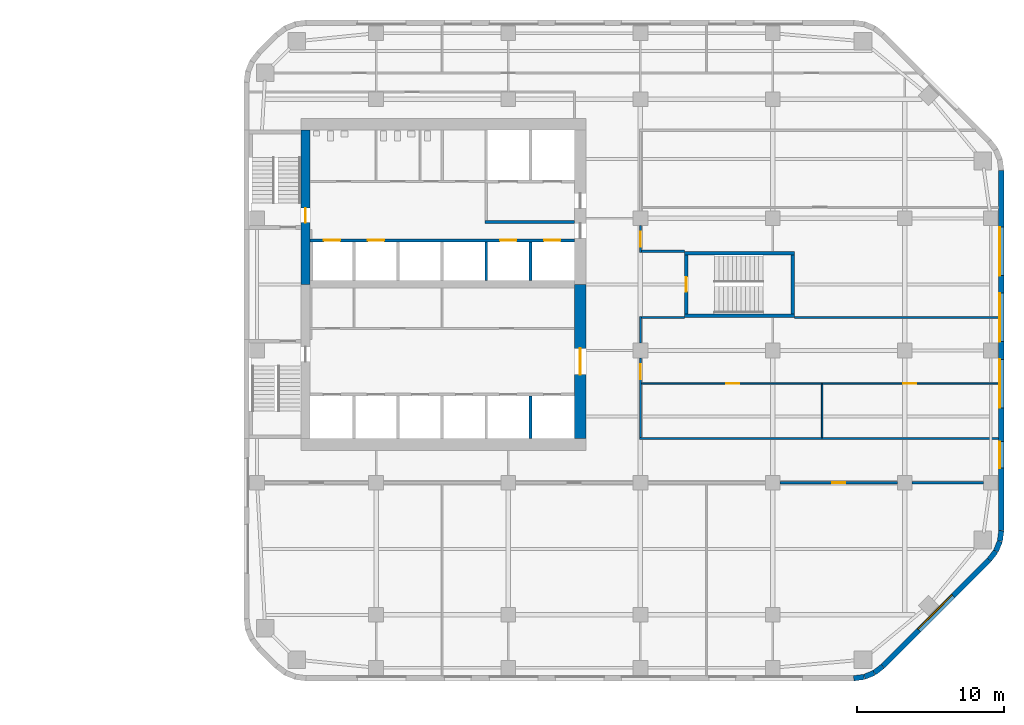
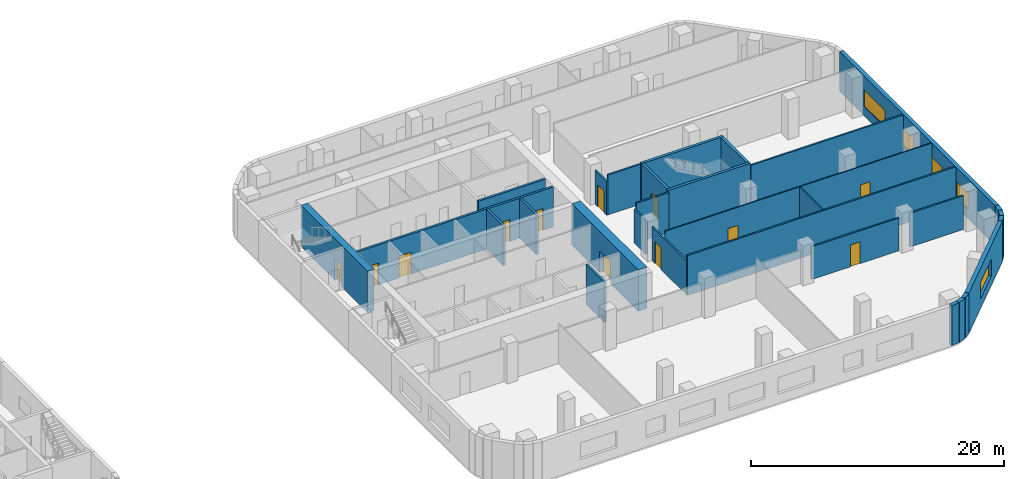
# One storey, part 9 of 14: 30 walls, 12 doors, 5 windows, 17 openings.
"""IFC4 building model written with IfcOpenShell, lengths in metres."""

from ifc_helpers import new_model, si_unit, direction, frame, frame_2d, origin, place, context, subcontext, project, spatial, rectangle, extrude, material, layer, layer_set, type_object, element, fill, save


model = new_model("IFC4")

# Units and contexts
model_context = context("Model", 3, precision=1e-05, world=origin(), true_north=direction((0.0, 1.0)))
body_context = subcontext(model_context, "Body", "Model", "MODEL_VIEW")
ifc_project = project(units=[si_unit("LENGTHUNIT", "METRE"), si_unit("AREAUNIT", "SQUARE_METRE"), si_unit("VOLUMEUNIT", "CUBIC_METRE"), si_unit("PLANEANGLEUNIT", "RADIAN"), si_unit("MASSUNIT", "GRAM", prefix="KILO")], contexts=[model_context])

# Site, building, storey
site_placement = place(None, origin())
site = spatial("IfcSite", under=ifc_project, at=site_placement, CompositionType="ELEMENT")
building_placement = place(site_placement, origin())
building = spatial("IfcBuilding", under=site, at=building_placement, Name="Cinnabar Reach Civic Tower", CompositionType="ELEMENT")
storey_placement = place(building_placement, frame((0.0, 0.0, 132.0)))
storey = spatial("IfcBuildingStorey", under=building, at=storey_placement, Name="L31", CompositionType="ELEMENT", Elevation=132.0)

# Walls
ifc_material_1 = material(Name="Facing brick with insulated backing", Category="masonry")
ifc_layer_1 = layer(ifc_material_1, 0.36)
ifc_layer_set_1 = layer_set([ifc_layer_1], Name="Brick corner wall")
wall_type_1 = type_object("IfcWallType", Name="Brick corner wall", PredefinedType="STANDARD", material=ifc_layer_set_1)
for number, where, z_axis, x_axis, name in (
    (1, (41.5186, 4.683, 0.0), (0.0, 0.0, 1.0), (0.99144092581, 0.13055608231, 0.0), "Brick corner wall"),
    (2, (42.2473, 4.7819, 0.0), (0.0, 0.0, 1.0), (0.923871547278, 0.382702709855, 0.0), "Brick corner wall"),
):
    element("IfcWall", number, at=place(storey_placement, frame(where, z_axis=z_axis, x_axis=x_axis)), inside=storey, type_object=wall_type_1, Name=name, PredefinedType="STANDARD", context=body_context, shape_type="SweptSolid", body=[
        extrude(rectangle(XDim=0.7131, YDim=0.36, at=frame_2d((0.3565, 0.0))), origin(), (0.0, 0.0, 1.0), 3.85),
    ])
for number, where, z_axis, x_axis, name in (
    (3, (42.9255, 5.066, 0.0), (0.0, 0.0, 1.0), (0.793321924995, 0.608802368033, 0.0), "Brick corner wall"),
    (4, (50.7498, 12.7587, 0.0), (0.0, 0.0, 1.0), (0.608802368033, 0.793321924995, 0.0), "Brick corner wall"),
):
    element("IfcWall", number, at=place(storey_placement, frame(where, z_axis=z_axis, x_axis=x_axis)), inside=storey, type_object=wall_type_1, Name=name, PredefinedType="STANDARD", context=body_context, shape_type="SweptSolid", body=[
        extrude(rectangle(XDim=0.7132, YDim=0.36, at=frame_2d((0.3566, 0.0))), origin(), (0.0, 0.0, 1.0), 3.85),
    ])
for number, where, z_axis, x_axis, name in (
    (5, (51.1952, 13.3439, 0.0), (0.0, 0.0, 1.0), (0.382702709855, 0.923871547278, 0.0), "Brick corner wall"),
    (6, (51.4739, 14.0244, 0.0), (0.0, 0.0, 1.0), (0.13055608231, 0.99144092581, 0.0), "Brick corner wall"),
):
    element("IfcWall", number, at=place(storey_placement, frame(where, z_axis=z_axis, x_axis=x_axis)), inside=storey, type_object=wall_type_1, Name=name, PredefinedType="STANDARD", context=body_context, shape_type="SweptSolid", body=[
        extrude(rectangle(XDim=0.7131, YDim=0.36, at=frame_2d((0.3565, 0.0))), origin(), (0.0, 0.0, 1.0), 3.85),
    ])

# Wall, opening, window
ifc_layer_2 = layer(ifc_material_1, 0.36)
ifc_layer_set_2 = layer_set([ifc_layer_2], Name="Brick pier and spandrel wall")
wall_type_2 = type_object("IfcWallType", Name="Brick pier and spandrel wall", PredefinedType="STANDARD", material=ifc_layer_set_2)
wall_1_placement = place(storey_placement, frame((43.5014, 5.506, 0.0), z_axis=(0.0, 0.0, 1.0), x_axis=(0.707106781187, 0.707106781187, 0.0)))
wall_1 = element("IfcWall", 7, at=wall_1_placement, inside=storey, type_object=wall_type_2, Name="Brick facade wall", PredefinedType="STANDARD", context=body_context, shape_type="SweptSolid", body=[
    extrude(rectangle(XDim=10.2426, YDim=0.36, at=frame_2d((5.1213, 0.0))), origin(), (0.0, 0.0, 1.0), 3.85),
])
opening_1_placement = place(wall_1_placement, frame((3.4713, 0.0, 0.9)))
opening_1 = element("IfcOpeningElement", 8, at=opening_1_placement, cuts=wall_1, Name="Opening W1662", PredefinedType="OPENING", context=body_context, shape_type="SweptSolid", body=[
    extrude(rectangle(XDim=3.3, YDim=1.6, at=frame_2d((1.65, 0.8))), frame((0.0, 0.19, 0.0), z_axis=(0.0, -1.0, 0.0), x_axis=(1.0, 0.0, 0.0)), (0.0, 0.0, 1.0), 0.38),
])
ifc_material_2 = material(Name="Clear double glazing in aluminium frame", Category="aluminium")
window_type_1 = type_object("IfcWindowType", Name="Deep-set window A", PartitioningType="SINGLE_PANEL", PredefinedType="WINDOW", material=ifc_material_2)
window_1_placement = place(opening_1_placement, origin())
window_1 = element("IfcWindow", 9, at=window_1_placement, inside=storey, type_object=window_type_1, Name="Window southeast face", OverallHeight=1.6, OverallWidth=3.3, PartitioningType="SINGLE_PANEL", PredefinedType="WINDOW", context=body_context, shape_type="SweptSolid", body=[
    extrude(rectangle(XDim=3.3, YDim=1.6, at=frame_2d((1.65, 0.8))), frame((0.0, 0.13, 0.0), z_axis=(0.0, -1.0, 0.0), x_axis=(1.0, 0.0, 0.0)), (0.0, 0.0, 1.0), 0.06),
])
fill(opening_1, window_1)

# Wall, openings, windows
wall_2_placement = place(storey_placement, frame((51.57, 14.7426, 0.0), z_axis=(0.0, 0.0, 1.0), x_axis=(0.0, 1.0, 0.0)))
wall_2 = element("IfcWall", 10, at=wall_2_placement, inside=storey, type_object=wall_type_2, Name="Brick facade wall", PredefinedType="STANDARD", context=body_context, shape_type="SweptSolid", body=[
    extrude(rectangle(XDim=24.5148, YDim=0.36, at=frame_2d((12.2574, 0.0))), origin(), (0.0, 0.0, 1.0), 3.85),
])
opening_2_placement = place(wall_2_placement, frame((4.2574, 0.0, 0.9)))
opening_2 = element("IfcOpeningElement", 11, at=opening_2_placement, cuts=wall_2, Name="Opening W1663", PredefinedType="OPENING", context=body_context, shape_type="SweptSolid", body=[
    extrude(rectangle(XDim=1.8, YDim=1.6, at=frame_2d((0.9, 0.8))), frame((0.0, 0.19, 0.0), z_axis=(0.0, -1.0, 0.0), x_axis=(1.0, 0.0, 0.0)), (0.0, 0.0, 1.0), 0.38),
])
opening_3_placement = place(wall_2_placement, frame((8.3574, 0.0, 0.9)))
opening_3 = element("IfcOpeningElement", 12, at=opening_3_placement, cuts=wall_2, Name="Opening W1664", PredefinedType="OPENING", context=body_context, shape_type="SweptSolid", body=[
    extrude(rectangle(XDim=3.3, YDim=1.6, at=frame_2d((1.65, 0.8))), frame((0.0, 0.19, 0.0), z_axis=(0.0, -1.0, 0.0), x_axis=(1.0, 0.0, 0.0)), (0.0, 0.0, 1.0), 0.38),
])
opening_4_placement = place(wall_2_placement, frame((12.8574, 0.0, 0.9)))
opening_4 = element("IfcOpeningElement", 13, at=opening_4_placement, cuts=wall_2, Name="Opening W1665", PredefinedType="OPENING", context=body_context, shape_type="SweptSolid", body=[
    extrude(rectangle(XDim=3.3, YDim=1.6, at=frame_2d((1.65, 0.8))), frame((0.0, 0.19, 0.0), z_axis=(0.0, -1.0, 0.0), x_axis=(1.0, 0.0, 0.0)), (0.0, 0.0, 1.0), 0.38),
])
opening_5_placement = place(wall_2_placement, frame((17.3574, 0.0, 0.9)))
opening_5 = element("IfcOpeningElement", 14, at=opening_5_placement, cuts=wall_2, Name="Opening W1666", PredefinedType="OPENING", context=body_context, shape_type="SweptSolid", body=[
    extrude(rectangle(XDim=3.3, YDim=1.6, at=frame_2d((1.65, 0.8))), frame((0.0, 0.19, 0.0), z_axis=(0.0, -1.0, 0.0), x_axis=(1.0, 0.0, 0.0)), (0.0, 0.0, 1.0), 0.38),
])
window_2_placement = place(opening_3_placement, origin())
window_2 = element("IfcWindow", 15, at=window_2_placement, inside=storey, type_object=window_type_1, Name="Window east face", OverallHeight=1.6, OverallWidth=3.3, PartitioningType="SINGLE_PANEL", PredefinedType="WINDOW", context=body_context, shape_type="SweptSolid", body=[
    extrude(rectangle(XDim=3.3, YDim=1.6, at=frame_2d((1.65, 0.8))), frame((0.0, 0.13, 0.0), z_axis=(0.0, -1.0, 0.0), x_axis=(1.0, 0.0, 0.0)), (0.0, 0.0, 1.0), 0.06),
])
fill(opening_3, window_2)
window_3_placement = place(opening_4_placement, origin())
window_3 = element("IfcWindow", 16, at=window_3_placement, inside=storey, type_object=window_type_1, Name="Window east face", OverallHeight=1.6, OverallWidth=3.3, PartitioningType="SINGLE_PANEL", PredefinedType="WINDOW", context=body_context, shape_type="SweptSolid", body=[
    extrude(rectangle(XDim=3.3, YDim=1.6, at=frame_2d((1.65, 0.8))), frame((0.0, 0.13, 0.0), z_axis=(0.0, -1.0, 0.0), x_axis=(1.0, 0.0, 0.0)), (0.0, 0.0, 1.0), 0.06),
])
fill(opening_4, window_3)
window_4_placement = place(opening_5_placement, origin())
window_4 = element("IfcWindow", 17, at=window_4_placement, inside=storey, type_object=window_type_1, Name="Window east face", OverallHeight=1.6, OverallWidth=3.3, PartitioningType="SINGLE_PANEL", PredefinedType="WINDOW", context=body_context, shape_type="SweptSolid", body=[
    extrude(rectangle(XDim=3.3, YDim=1.6, at=frame_2d((1.65, 0.8))), frame((0.0, 0.13, 0.0), z_axis=(0.0, -1.0, 0.0), x_axis=(1.0, 0.0, 0.0)), (0.0, 0.0, 1.0), 0.06),
])
fill(opening_5, window_4)
window_type_2 = type_object("IfcWindowType", Name="Deep-set window D", PartitioningType="SINGLE_PANEL", PredefinedType="WINDOW", material=ifc_material_2)
window_5_placement = place(opening_2_placement, origin())
window_5 = element("IfcWindow", 18, at=window_5_placement, inside=storey, type_object=window_type_2, Name="Window east face", OverallHeight=1.6, OverallWidth=1.8, PartitioningType="SINGLE_PANEL", PredefinedType="WINDOW", context=body_context, shape_type="SweptSolid", body=[
    extrude(rectangle(XDim=1.8, YDim=1.6, at=frame_2d((0.9, 0.8))), frame((0.0, 0.13, 0.0), z_axis=(0.0, -1.0, 0.0), x_axis=(1.0, 0.0, 0.0)), (0.0, 0.0, 1.0), 0.06),
])
fill(opening_2, window_5)

# Wall, opening, door
ifc_material_3 = material(Name="Concrete C70", Category="concrete")
ifc_layer_3 = layer(ifc_material_3, 0.6)
ifc_layer_set_3 = layer_set([ifc_layer_3], Name="Core wall 600 EI 180")
wall_type_3 = type_object("IfcWallType", Name="Core wall 600 EI 180", PredefinedType="SOLIDWALL", material=ifc_layer_set_3)
wall_3_placement = place(storey_placement, frame((4.2, 42.0, 0.0), z_axis=(0.0, 0.0, 1.0), x_axis=(0.0, -1.0, 0.0)))
wall_3 = element("IfcWall", 19, at=wall_3_placement, inside=storey, type_object=wall_type_3, Name="Core wall T1 L31 W", PredefinedType="SOLIDWALL", context=body_context, shape_type="SweptSolid", body=[
    extrude(rectangle(XDim=10.5, YDim=0.6, at=frame_2d((5.25, 0.0))), origin(), (0.0, 0.0, 1.0), 4.0),
])
opening_6_placement = place(wall_3_placement, frame((5.3, 0.0, 0.0)))
opening_6 = element("IfcOpeningElement", 20, at=opening_6_placement, cuts=wall_3, Name="Opening D4254", PredefinedType="OPENING", context=body_context, shape_type="SweptSolid", body=[
    extrude(rectangle(XDim=1.0, YDim=2.1, at=frame_2d((0.5, 1.05))), frame((0.0, 0.31, 0.0), z_axis=(0.0, -1.0, 0.0), x_axis=(1.0, 0.0, 0.0)), (0.0, 0.0, 1.0), 0.62),
])
ifc_material_4 = material(Name="Timber door leaf in steel frame", Category="steel")
door_type_1 = type_object("IfcDoorType", Name="Stair door 1000 x 2100 T1", OperationType="SINGLE_SWING_LEFT", PredefinedType="DOOR", material=ifc_material_4)
door_1_placement = place(opening_6_placement, frame((1.0, 0.0, 0.0), z_axis=(0.0, 0.0, 1.0), x_axis=(-1.0, 0.0, 0.0)))
door_1 = element("IfcDoor", 21, at=door_1_placement, inside=storey, type_object=door_type_1, Name="Door D4254", OperationType="SINGLE_SWING_LEFT", OverallHeight=2.1, OverallWidth=1.0, PredefinedType="DOOR", context=body_context, shape_type="SweptSolid", body=[
    extrude(rectangle(XDim=1.0, YDim=2.1, at=frame_2d((0.5, 1.05))), frame((0.0, 0.025, 0.0), z_axis=(0.0, -1.0, 0.0), x_axis=(1.0, 0.0, 0.0)), (0.0, 0.0, 1.0), 0.05),
])
fill(opening_6, door_1)

ifc_layer_4 = layer(ifc_material_3, 0.8)
ifc_layer_set_4 = layer_set([ifc_layer_4], Name="Core wall 800 EI 180")
wall_type_4 = type_object("IfcWallType", Name="Core wall 800 EI 180", PredefinedType="SOLIDWALL", material=ifc_layer_set_4)
wall_4_placement = place(storey_placement, frame((22.9, 21.0, 0.0), z_axis=(0.0, 0.0, 1.0), x_axis=(0.0, 1.0, 0.0)))
wall_4 = element("IfcWall", 22, at=wall_4_placement, inside=storey, type_object=wall_type_4, Name="Core wall T1 L31 E", PredefinedType="SOLIDWALL", context=body_context, shape_type="SweptSolid", body=[
    extrude(rectangle(XDim=10.5, YDim=0.8, at=frame_2d((5.25, 0.0))), origin(), (0.0, 0.0, 1.0), 4.0),
])
opening_7_placement = place(wall_4_placement, frame((4.35, 0.0, 0.0)))
opening_7 = element("IfcOpeningElement", 23, at=opening_7_placement, cuts=wall_4, Name="Opening D4268", PredefinedType="OPENING", context=body_context, shape_type="SweptSolid", body=[
    extrude(rectangle(XDim=1.8, YDim=2.1, at=frame_2d((0.9, 1.05))), frame((0.0, 0.41, 0.0), z_axis=(0.0, -1.0, 0.0), x_axis=(1.0, 0.0, 0.0)), (0.0, 0.0, 1.0), 0.82),
])
door_type_2 = type_object("IfcDoorType", Name="Double swing door 1800 x 2100 T1", OperationType="DOUBLE_DOOR_DOUBLE_SWING", PredefinedType="DOOR", material=ifc_material_4)
door_2_placement = place(opening_7_placement, origin())
door_2 = element("IfcDoor", 24, at=door_2_placement, inside=storey, type_object=door_type_2, Name="Door D4268", OperationType="DOUBLE_DOOR_DOUBLE_SWING", OverallHeight=2.1, OverallWidth=1.8, PredefinedType="DOOR", context=body_context, shape_type="SweptSolid", body=[
    extrude(rectangle(XDim=1.8, YDim=2.1, at=frame_2d((0.9, 1.05))), frame((0.0, 0.025, 0.0), z_axis=(0.0, -1.0, 0.0), x_axis=(1.0, 0.0, 0.0)), (0.0, 0.0, 1.0), 0.05),
])
fill(opening_7, door_2)

# Wall
ifc_material_5 = material(Name="Gypsum board on steel studs, double layer", Category="steel")
ifc_layer_5 = layer(ifc_material_5, 0.15)
ifc_layer_set_5 = layer_set([ifc_layer_5], Name="Corridor wall 150 T1")
wall_type_5 = type_object("IfcWallType", Name="Corridor wall 150 T1", PredefinedType="PARTITIONING", material=ifc_layer_set_5)
wall_5_placement = place(storey_placement, frame((45.5, 18.0, 0.0), z_axis=(0.0, 0.0, 1.0), x_axis=(1.0, 0.0, 0.0)))
element("IfcWall", 25, at=wall_5_placement, inside=storey, type_object=wall_type_5, Name="Corridor wall 19", PredefinedType="PARTITIONING", context=body_context, shape_type="SweptSolid", body=[
    extrude(rectangle(XDim=4.85, YDim=0.15, at=frame_2d((2.425, 0.0))), origin(), (0.0, 0.0, 1.0), 3.254),
])

# Wall, opening, door
wall_6_placement = place(storey_placement, frame((36.5, 18.0, 0.0), z_axis=(0.0, 0.0, 1.0), x_axis=(1.0, 0.0, 0.0)))
wall_6 = element("IfcWall", 26, at=wall_6_placement, inside=storey, type_object=wall_type_5, Name="Corridor wall 20", PredefinedType="PARTITIONING", context=body_context, shape_type="SweptSolid", body=[
    extrude(rectangle(XDim=8.0, YDim=0.15, at=frame_2d((4.0, 0.0))), origin(), (0.0, 0.0, 1.0), 3.158),
])
opening_8_placement = place(wall_6_placement, frame((3.55, 0.0, 0.0)))
opening_8 = element("IfcOpeningElement", 27, at=opening_8_placement, cuts=wall_6, Name="Opening D4286", PredefinedType="OPENING", context=body_context, shape_type="SweptSolid", body=[
    extrude(rectangle(XDim=0.9, YDim=2.1, at=frame_2d((0.45, 1.05))), frame((0.0, 0.085, 0.0), z_axis=(0.0, -1.0, 0.0), x_axis=(1.0, 0.0, 0.0)), (0.0, 0.0, 1.0), 0.17),
])
door_type_3 = type_object("IfcDoorType", Name="Single swing door 900 x 2100 corridor T1", OperationType="SINGLE_SWING_LEFT", PredefinedType="DOOR", material=ifc_material_4)
door_3_placement = place(opening_8_placement, frame((0.9, 0.0, 0.0), z_axis=(0.0, 0.0, 1.0), x_axis=(-1.0, 0.0, 0.0)))
door_3 = element("IfcDoor", 28, at=door_3_placement, inside=storey, type_object=door_type_3, Name="Door D4286", OperationType="SINGLE_SWING_RIGHT", OverallHeight=2.1, OverallWidth=0.9, PredefinedType="DOOR", context=body_context, shape_type="SweptSolid", body=[
    extrude(rectangle(XDim=0.9, YDim=2.1, at=frame_2d((0.45, 1.05))), frame((0.0, 0.025, 0.0), z_axis=(0.0, -1.0, 0.0), x_axis=(1.0, 0.0, 0.0)), (0.0, 0.0, 1.0), 0.05),
])
fill(opening_8, door_3)

# Wall
wall_7_placement = place(storey_placement, frame((26.925, 21.0, 0.0), z_axis=(0.0, 0.0, 1.0), x_axis=(1.0, 0.0, 0.0)))
element("IfcWall", 29, at=wall_7_placement, inside=storey, type_object=wall_type_5, Name="Corridor wall 26", PredefinedType="PARTITIONING", context=body_context, shape_type="SweptSolid", body=[
    extrude(rectangle(XDim=24.465, YDim=0.15, at=frame_2d((12.2325, 0.0))), origin(), (0.0, 0.0, 1.0), 3.85),
])

# Wall, opening, door
wall_8_placement = place(storey_placement, frame((27.0, 21.075, 0.0), z_axis=(0.0, 0.0, 1.0), x_axis=(0.0, 1.0, 0.0)))
wall_8 = element("IfcWall", 30, at=wall_8_placement, inside=storey, type_object=wall_type_5, Name="Corridor wall 31", PredefinedType="PARTITIONING", context=body_context, shape_type="SweptSolid", body=[
    extrude(rectangle(XDim=5.425, YDim=0.15, at=frame_2d((2.7125, 0.0))), origin(), (0.0, 0.0, 1.0), 3.256),
])
opening_9_placement = place(wall_8_placement, frame((3.975, 0.0, 0.0)))
opening_9 = element("IfcOpeningElement", 31, at=opening_9_placement, cuts=wall_8, Name="Opening D4281", PredefinedType="OPENING", context=body_context, shape_type="SweptSolid", body=[
    extrude(rectangle(XDim=1.0, YDim=2.1, at=frame_2d((0.5, 1.05))), frame((0.0, 0.085, 0.0), z_axis=(0.0, -1.0, 0.0), x_axis=(1.0, 0.0, 0.0)), (0.0, 0.0, 1.0), 0.17),
])
door_type_4 = type_object("IfcDoorType", Name="Tenancy entrance door 1000 x 2100 T1", OperationType="SINGLE_SWING_LEFT", PredefinedType="DOOR", material=ifc_material_4)
door_4_placement = place(opening_9_placement, frame((1.0, 0.0, 0.0), z_axis=(0.0, 0.0, 1.0), x_axis=(-1.0, 0.0, 0.0)))
door_4 = element("IfcDoor", 32, at=door_4_placement, inside=storey, type_object=door_type_4, Name="Door D4281", OperationType="SINGLE_SWING_RIGHT", OverallHeight=2.1, OverallWidth=1.0, PredefinedType="DOOR", context=body_context, shape_type="SweptSolid", body=[
    extrude(rectangle(XDim=1.0, YDim=2.1, at=frame_2d((0.5, 1.05))), frame((0.0, 0.025, 0.0), z_axis=(0.0, -1.0, 0.0), x_axis=(1.0, 0.0, 0.0)), (0.0, 0.0, 1.0), 0.05),
])
fill(opening_9, door_4)

# Wall
wall_9_placement = place(storey_placement, frame((27.0, 27.5, 0.0), z_axis=(0.0, 0.0, 1.0), x_axis=(0.0, 1.0, 0.0)))
element("IfcWall", 33, at=wall_9_placement, inside=storey, type_object=wall_type_5, Name="Corridor wall 32", PredefinedType="PARTITIONING", context=body_context, shape_type="SweptSolid", body=[
    extrude(rectangle(XDim=1.825, YDim=0.15, at=frame_2d((0.9125, 0.0))), origin(), (0.0, 0.0, 1.0), 3.256),
])

# Wall, opening, door
wall_10_placement = place(storey_placement, frame((27.0, 33.675, 0.0), z_axis=(0.0, 0.0, 1.0), x_axis=(0.0, 1.0, 0.0)))
wall_10 = element("IfcWall", 34, at=wall_10_placement, inside=storey, type_object=wall_type_5, Name="Corridor wall 33", PredefinedType="PARTITIONING", context=body_context, shape_type="SweptSolid", body=[
    extrude(rectangle(XDim=1.825, YDim=0.15, at=frame_2d((0.9125, 0.0))), origin(), (0.0, 0.0, 1.0), 3.256),
])
opening_10_placement = place(wall_10_placement, frame((0.4, 0.0, 0.0)))
opening_10 = element("IfcOpeningElement", 35, at=opening_10_placement, cuts=wall_10, Name="Opening D4279", PredefinedType="OPENING", context=body_context, shape_type="SweptSolid", body=[
    extrude(rectangle(XDim=1.0, YDim=2.1, at=frame_2d((0.5, 1.05))), frame((0.0, 0.085, 0.0), z_axis=(0.0, -1.0, 0.0), x_axis=(1.0, 0.0, 0.0)), (0.0, 0.0, 1.0), 0.17),
])
door_5_placement = place(opening_10_placement, frame((1.0, 0.0, 0.0), z_axis=(0.0, 0.0, 1.0), x_axis=(-1.0, 0.0, 0.0)))
door_5 = element("IfcDoor", 36, at=door_5_placement, inside=storey, type_object=door_type_4, Name="Door D4279", OperationType="SINGLE_SWING_RIGHT", OverallHeight=2.1, OverallWidth=1.0, PredefinedType="DOOR", context=body_context, shape_type="SweptSolid", body=[
    extrude(rectangle(XDim=1.0, YDim=2.1, at=frame_2d((0.5, 1.05))), frame((0.0, 0.025, 0.0), z_axis=(0.0, -1.0, 0.0), x_axis=(1.0, 0.0, 0.0)), (0.0, 0.0, 1.0), 0.05),
])
fill(opening_10, door_5)

# Walls
for number, where, z_axis, x_axis, name in (
    (37, (27.075, 29.25, 0.0), (0.0, 0.0, 1.0), (1.0, 0.0, 0.0), "Corridor wall 37"),
    (38, (27.075, 33.75, 0.0), (0.0, 0.0, 1.0), (1.0, 0.0, 0.0), "Corridor wall 38"),
):
    element("IfcWall", number, at=place(storey_placement, frame(where, z_axis=z_axis, x_axis=x_axis)), inside=storey, type_object=wall_type_5, Name=name, PredefinedType="PARTITIONING", context=body_context, shape_type="SweptSolid", body=[
        extrude(rectangle(XDim=2.925, YDim=0.15, at=frame_2d((1.4625, 0.0))), origin(), (0.0, 0.0, 1.0), 3.85),
    ])

# Wall, openings, doors
ifc_material_6 = material(Name="Blockwork", Category="masonry")
ifc_layer_6 = layer(ifc_material_6, 0.2)
ifc_layer_set_6 = layer_set([ifc_layer_6], Name="Lift shaft wall 200 T1")
wall_type_6 = type_object("IfcWallType", Name="Lift shaft wall 200 T1", PredefinedType="PARTITIONING", material=ifc_layer_set_6)
wall_11_placement = place(storey_placement, frame((4.5, 34.5, 0.0), z_axis=(0.0, 0.0, 1.0), x_axis=(1.0, 0.0, 0.0)))
wall_11 = element("IfcWall", 39, at=wall_11_placement, inside=storey, type_object=wall_type_6, Name="Lift shaft wall 5", PredefinedType="PARTITIONING", context=body_context, shape_type="SweptSolid", body=[
    extrude(rectangle(XDim=18.0, YDim=0.2, at=frame_2d((9.0, 0.0))), origin(), (0.0, 0.0, 1.0), 3.85),
])
opening_11_placement = place(wall_11_placement, frame((0.95, 0.0, 0.0)))
opening_11 = element("IfcOpeningElement", 40, at=opening_11_placement, cuts=wall_11, Name="Opening D4262", PredefinedType="OPENING", context=body_context, shape_type="SweptSolid", body=[
    extrude(rectangle(XDim=1.1, YDim=2.1, at=frame_2d((0.55, 1.05))), frame((0.0, 0.11, 0.0), z_axis=(0.0, -1.0, 0.0), x_axis=(1.0, 0.0, 0.0)), (0.0, 0.0, 1.0), 0.22),
])
opening_12_placement = place(wall_11_placement, frame((3.95, 0.0, 0.0)))
opening_12 = element("IfcOpeningElement", 41, at=opening_12_placement, cuts=wall_11, Name="Opening D4263", PredefinedType="OPENING", context=body_context, shape_type="SweptSolid", body=[
    extrude(rectangle(XDim=1.1, YDim=2.1, at=frame_2d((0.55, 1.05))), frame((0.0, 0.11, 0.0), z_axis=(0.0, -1.0, 0.0), x_axis=(1.0, 0.0, 0.0)), (0.0, 0.0, 1.0), 0.22),
])
opening_13_placement = place(wall_11_placement, frame((12.95, 0.0, 0.0)))
opening_13 = element("IfcOpeningElement", 42, at=opening_13_placement, cuts=wall_11, Name="Opening D4264", PredefinedType="OPENING", context=body_context, shape_type="SweptSolid", body=[
    extrude(rectangle(XDim=1.1, YDim=2.1, at=frame_2d((0.55, 1.05))), frame((0.0, 0.11, 0.0), z_axis=(0.0, -1.0, 0.0), x_axis=(1.0, 0.0, 0.0)), (0.0, 0.0, 1.0), 0.22),
])
opening_14_placement = place(wall_11_placement, frame((15.95, 0.0, 0.0)))
opening_14 = element("IfcOpeningElement", 43, at=opening_14_placement, cuts=wall_11, Name="Opening D4265", PredefinedType="OPENING", context=body_context, shape_type="SweptSolid", body=[
    extrude(rectangle(XDim=1.1, YDim=2.1, at=frame_2d((0.55, 1.05))), frame((0.0, 0.11, 0.0), z_axis=(0.0, -1.0, 0.0), x_axis=(1.0, 0.0, 0.0)), (0.0, 0.0, 1.0), 0.22),
])
ifc_material_7 = material(Name="Stainless steel sliding door", Category="steel")
door_type_5 = type_object("IfcDoorType", Name="Lift landing door 1100 x 2100 T1", OperationType="SLIDING_TO_LEFT", PredefinedType="DOOR", material=ifc_material_7)
door_6_placement = place(opening_11_placement, origin())
door_6 = element("IfcDoor", 44, at=door_6_placement, inside=storey, type_object=door_type_5, Name="Lift landing door SH1 L31", OperationType="SLIDING_TO_LEFT", OverallHeight=2.1, OverallWidth=1.1, PredefinedType="DOOR", context=body_context, shape_type="SweptSolid", body=[
    extrude(rectangle(XDim=1.1, YDim=2.1, at=frame_2d((0.55, 1.05))), frame((0.0, 0.025, 0.0), z_axis=(0.0, -1.0, 0.0), x_axis=(1.0, 0.0, 0.0)), (0.0, 0.0, 1.0), 0.05),
])
fill(opening_11, door_6)
door_7_placement = place(opening_12_placement, origin())
door_7 = element("IfcDoor", 45, at=door_7_placement, inside=storey, type_object=door_type_5, Name="Lift landing door SH2 L31", OperationType="SLIDING_TO_LEFT", OverallHeight=2.1, OverallWidth=1.1, PredefinedType="DOOR", context=body_context, shape_type="SweptSolid", body=[
    extrude(rectangle(XDim=1.1, YDim=2.1, at=frame_2d((0.55, 1.05))), frame((0.0, 0.025, 0.0), z_axis=(0.0, -1.0, 0.0), x_axis=(1.0, 0.0, 0.0)), (0.0, 0.0, 1.0), 0.05),
])
fill(opening_12, door_7)
door_8_placement = place(opening_13_placement, origin())
door_8 = element("IfcDoor", 46, at=door_8_placement, inside=storey, type_object=door_type_5, Name="Lift landing door SV1 L31", OperationType="SLIDING_TO_LEFT", OverallHeight=2.1, OverallWidth=1.1, PredefinedType="DOOR", context=body_context, shape_type="SweptSolid", body=[
    extrude(rectangle(XDim=1.1, YDim=2.1, at=frame_2d((0.55, 1.05))), frame((0.0, 0.025, 0.0), z_axis=(0.0, -1.0, 0.0), x_axis=(1.0, 0.0, 0.0)), (0.0, 0.0, 1.0), 0.05),
])
fill(opening_13, door_8)
door_9_placement = place(opening_14_placement, origin())
door_9 = element("IfcDoor", 47, at=door_9_placement, inside=storey, type_object=door_type_5, Name="Lift landing door SV2 L31", OperationType="SLIDING_TO_LEFT", OverallHeight=2.1, OverallWidth=1.1, PredefinedType="DOOR", context=body_context, shape_type="SweptSolid", body=[
    extrude(rectangle(XDim=1.1, YDim=2.1, at=frame_2d((0.55, 1.05))), frame((0.0, 0.025, 0.0), z_axis=(0.0, -1.0, 0.0), x_axis=(1.0, 0.0, 0.0)), (0.0, 0.0, 1.0), 0.05),
])
fill(opening_14, door_9)

# Walls
wall_12_placement = place(storey_placement, frame((16.5, 31.75, 0.0), z_axis=(0.0, 0.0, 1.0), x_axis=(0.0, 1.0, 0.0)))
element("IfcWall", 48, at=wall_12_placement, inside=storey, type_object=wall_type_6, Name="Lift shaft wall 16", PredefinedType="PARTITIONING", context=body_context, shape_type="SweptSolid", body=[
    extrude(rectangle(XDim=2.65, YDim=0.2, at=frame_2d((1.325, 0.0))), origin(), (0.0, 0.0, 1.0), 3.85),
])
wall_13_placement = place(storey_placement, frame((19.5, 21.0, 0.0), z_axis=(0.0, 0.0, 1.0), x_axis=(0.0, 1.0, 0.0)))
element("IfcWall", 49, at=wall_13_placement, inside=storey, type_object=wall_type_6, Name="Lift shaft wall 17", PredefinedType="PARTITIONING", context=body_context, shape_type="SweptSolid", body=[
    extrude(rectangle(XDim=2.9, YDim=0.2, at=frame_2d((1.45, 0.0))), origin(), (0.0, 0.0, 1.0), 3.85),
])
wall_14_placement = place(storey_placement, frame((19.5, 31.75, 0.0), z_axis=(0.0, 0.0, 1.0), x_axis=(0.0, 1.0, 0.0)))
element("IfcWall", 50, at=wall_14_placement, inside=storey, type_object=wall_type_6, Name="Lift shaft wall 18", PredefinedType="PARTITIONING", context=body_context, shape_type="SweptSolid", body=[
    extrude(rectangle(XDim=2.65, YDim=0.2, at=frame_2d((1.325, 0.0))), origin(), (0.0, 0.0, 1.0), 3.85),
])

# Wall, openings, doors
ifc_material_8 = material(Name="Gypsum board on steel studs", Category="steel")
ifc_layer_7 = layer(ifc_material_8, 0.1)
ifc_layer_set_7 = layer_set([ifc_layer_7], Name="Partition wall 100 T1")
wall_type_7 = type_object("IfcWallType", Name="Partition wall 100 T1", PredefinedType="PARTITIONING", material=ifc_layer_set_7)
wall_15_placement = place(storey_placement, frame((27.075, 24.75, 0.0), z_axis=(0.0, 0.0, 1.0), x_axis=(1.0, 0.0, 0.0)))
wall_15 = element("IfcWall", 51, at=wall_15_placement, inside=storey, type_object=wall_type_7, Name="Partition wall 43", PredefinedType="PARTITIONING", context=body_context, shape_type="SweptSolid", body=[
    extrude(rectangle(XDim=24.315, YDim=0.1, at=frame_2d((12.1575, 0.0))), origin(), (0.0, 0.0, 1.0), 3.85),
])
opening_15_placement = place(wall_15_placement, frame((5.75, 0.0, 0.0)))
opening_15 = element("IfcOpeningElement", 52, at=opening_15_placement, cuts=wall_15, Name="Opening D4282", PredefinedType="OPENING", context=body_context, shape_type="SweptSolid", body=[
    extrude(rectangle(XDim=0.9, YDim=2.1, at=frame_2d((0.45, 1.05))), frame((0.0, 0.06, 0.0), z_axis=(0.0, -1.0, 0.0), x_axis=(1.0, 0.0, 0.0)), (0.0, 0.0, 1.0), 0.12),
])
opening_16_placement = place(wall_15_placement, frame((17.8, 0.0, 0.0)))
opening_16 = element("IfcOpeningElement", 53, at=opening_16_placement, cuts=wall_15, Name="Opening D4283", PredefinedType="OPENING", context=body_context, shape_type="SweptSolid", body=[
    extrude(rectangle(XDim=0.9, YDim=2.1, at=frame_2d((0.45, 1.05))), frame((0.0, 0.06, 0.0), z_axis=(0.0, -1.0, 0.0), x_axis=(1.0, 0.0, 0.0)), (0.0, 0.0, 1.0), 0.12),
])
door_type_6 = type_object("IfcDoorType", Name="Single swing door 900 x 2100 T1", OperationType="SINGLE_SWING_LEFT", PredefinedType="DOOR", material=ifc_material_4)
door_10_placement = place(opening_15_placement, frame((0.9, 0.0, 0.0), z_axis=(0.0, 0.0, 1.0), x_axis=(-1.0, 0.0, 0.0)))
door_10 = element("IfcDoor", 54, at=door_10_placement, inside=storey, type_object=door_type_6, Name="Door D4282", OperationType="SINGLE_SWING_LEFT", OverallHeight=2.1, OverallWidth=0.9, PredefinedType="DOOR", context=body_context, shape_type="SweptSolid", body=[
    extrude(rectangle(XDim=0.9, YDim=2.1, at=frame_2d((0.45, 1.05))), frame((0.0, 0.025, 0.0), z_axis=(0.0, -1.0, 0.0), x_axis=(1.0, 0.0, 0.0)), (0.0, 0.0, 1.0), 0.05),
])
fill(opening_15, door_10)
door_11_placement = place(opening_16_placement, frame((0.9, 0.0, 0.0), z_axis=(0.0, 0.0, 1.0), x_axis=(-1.0, 0.0, 0.0)))
door_11 = element("IfcDoor", 55, at=door_11_placement, inside=storey, type_object=door_type_6, Name="Door D4283", OperationType="SINGLE_SWING_RIGHT", OverallHeight=2.1, OverallWidth=0.9, PredefinedType="DOOR", context=body_context, shape_type="SweptSolid", body=[
    extrude(rectangle(XDim=0.9, YDim=2.1, at=frame_2d((0.45, 1.05))), frame((0.0, 0.025, 0.0), z_axis=(0.0, -1.0, 0.0), x_axis=(1.0, 0.0, 0.0)), (0.0, 0.0, 1.0), 0.05),
])
fill(opening_16, door_11)

# Walls
wall_16_placement = place(storey_placement, frame((39.375, 21.075, 0.0), z_axis=(0.0, 0.0, 1.0), x_axis=(0.0, 1.0, 0.0)))
element("IfcWall", 56, at=wall_16_placement, inside=storey, type_object=wall_type_7, Name="Partition wall 47", PredefinedType="PARTITIONING", context=body_context, shape_type="SweptSolid", body=[
    extrude(rectangle(XDim=3.625, YDim=0.1, at=frame_2d((1.8125, 0.0))), origin(), (0.0, 0.0, 1.0), 3.85),
])
ifc_material_9 = material(Name="Concrete C40", Category="concrete")
ifc_layer_8 = layer(ifc_material_9, 0.2)
ifc_layer_set_8 = layer_set([ifc_layer_8], Name="Refuge compartment wall 200 T1")
wall_type_8 = type_object("IfcWallType", Name="Refuge compartment wall 200 T1", PredefinedType="PARTITIONING", material=ifc_layer_set_8)
wall_17_placement = place(storey_placement, frame((16.4, 35.75, 0.0), z_axis=(0.0, 0.0, 1.0), x_axis=(1.0, 0.0, 0.0)))
element("IfcWall", 57, at=wall_17_placement, inside=storey, type_object=wall_type_8, Name="Refuge compartment wall 1", PredefinedType="PARTITIONING", context=body_context, shape_type="SweptSolid", body=[
    extrude(rectangle(XDim=6.1, YDim=0.2, at=frame_2d((3.05, 0.0))), origin(), (0.0, 0.0, 1.0), 3.85),
])
ifc_material_10 = material(Name="Concrete C60", Category="concrete")
ifc_layer_9 = layer(ifc_material_10, 0.25)
ifc_layer_set_9 = layer_set([ifc_layer_9], Name="Stair shaft wall 250 EI 120")
wall_type_9 = type_object("IfcWallType", Name="Stair shaft wall 250 EI 120", PredefinedType="SOLIDWALL", material=ifc_layer_set_9)
for number, where, z_axis, x_axis, name in (
    (58, (30.0, 29.375, 0.0), (0.0, 0.0, 1.0), (1.0, 0.0, 0.0), "Stair shaft wall T1-S3 L31"),
    (59, (37.5, 33.625, 0.0), (0.0, 0.0, 1.0), (-1.0, 0.0, 0.0), "Stair shaft wall T1-S3 L31"),
):
    element("IfcWall", number, at=place(storey_placement, frame(where, z_axis=z_axis, x_axis=x_axis)), inside=storey, type_object=wall_type_9, Name=name, PredefinedType="SOLIDWALL", context=body_context, shape_type="SweptSolid", body=[
        extrude(rectangle(XDim=7.5, YDim=0.25, at=frame_2d((3.75, 0.0))), origin(), (0.0, 0.0, 1.0), 4.0),
    ])
wall_18_placement = place(storey_placement, frame((37.375, 29.5, 0.0), z_axis=(0.0, 0.0, 1.0), x_axis=(0.0, 1.0, 0.0)))
element("IfcWall", 60, at=wall_18_placement, inside=storey, type_object=wall_type_9, Name="Stair shaft wall T1-S3 L31", PredefinedType="SOLIDWALL", context=body_context, shape_type="SweptSolid", body=[
    extrude(rectangle(XDim=4.0, YDim=0.25, at=frame_2d((2.0, 0.0))), origin(), (0.0, 0.0, 1.0), 4.0),
])

# Wall, opening, door
wall_19_placement = place(storey_placement, frame((30.125, 33.5, 0.0), z_axis=(0.0, 0.0, 1.0), x_axis=(0.0, -1.0, 0.0)))
wall_19 = element("IfcWall", 61, at=wall_19_placement, inside=storey, type_object=wall_type_9, Name="Stair shaft wall T1-S3 L31", PredefinedType="SOLIDWALL", context=body_context, shape_type="SweptSolid", body=[
    extrude(rectangle(XDim=4.0, YDim=0.25, at=frame_2d((2.0, 0.0))), origin(), (0.0, 0.0, 1.0), 4.0),
])
opening_17_placement = place(wall_19_placement, frame((1.5, 0.0, 0.0)))
opening_17 = element("IfcOpeningElement", 62, at=opening_17_placement, cuts=wall_19, Name="Opening D4271", PredefinedType="OPENING", context=body_context, shape_type="SweptSolid", body=[
    extrude(rectangle(XDim=1.0, YDim=2.1, at=frame_2d((0.5, 1.05))), frame((0.0, 0.135, 0.0), z_axis=(0.0, -1.0, 0.0), x_axis=(1.0, 0.0, 0.0)), (0.0, 0.0, 1.0), 0.27),
])
door_12_placement = place(opening_17_placement, origin())
door_12 = element("IfcDoor", 63, at=door_12_placement, inside=storey, type_object=door_type_1, Name="Door D4271", OperationType="SINGLE_SWING_LEFT", OverallHeight=2.1, OverallWidth=1.0, PredefinedType="DOOR", context=body_context, shape_type="SweptSolid", body=[
    extrude(rectangle(XDim=1.0, YDim=2.1, at=frame_2d((0.5, 1.05))), frame((0.0, 0.025, 0.0), z_axis=(0.0, -1.0, 0.0), x_axis=(1.0, 0.0, 0.0)), (0.0, 0.0, 1.0), 0.05),
])
fill(opening_17, door_12)

# Wall
ifc_layer_10 = layer(ifc_material_5, 0.15)
ifc_layer_set_10 = layer_set([ifc_layer_10], Name="Tenancy separating wall 150 T1")
wall_type_10 = type_object("IfcWallType", Name="Tenancy separating wall 150 T1", PredefinedType="PARTITIONING", material=ifc_layer_set_10)
wall_20_placement = place(storey_placement, frame((37.5, 29.25, 0.0), z_axis=(0.0, 0.0, 1.0), x_axis=(1.0, 0.0, 0.0)))
element("IfcWall", 64, at=wall_20_placement, inside=storey, type_object=wall_type_10, Name="Tenancy separating wall 42", PredefinedType="PARTITIONING", context=body_context, shape_type="SweptSolid", body=[
    extrude(rectangle(XDim=13.89, YDim=0.15, at=frame_2d((6.945, 0.0))), origin(), (0.0, 0.0, 1.0), 3.85),
])

save(model, "model.ifc")
